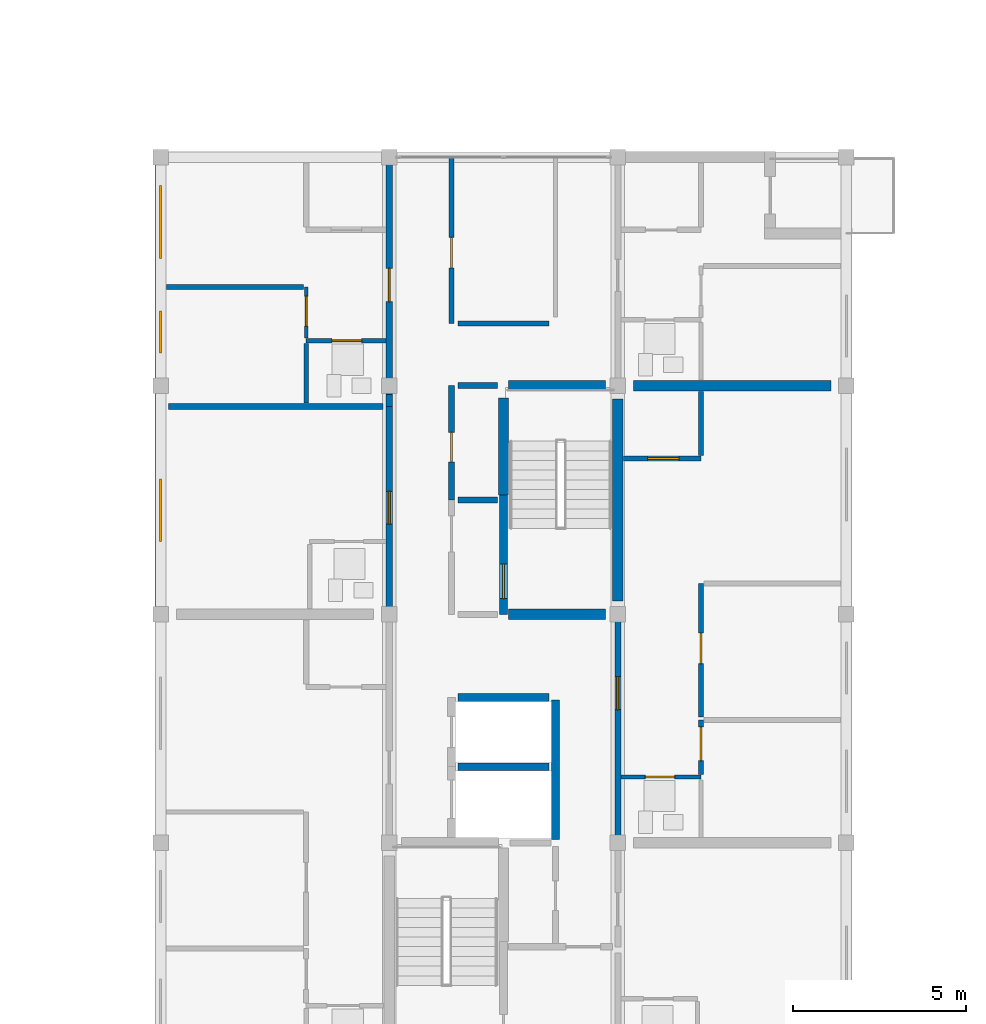
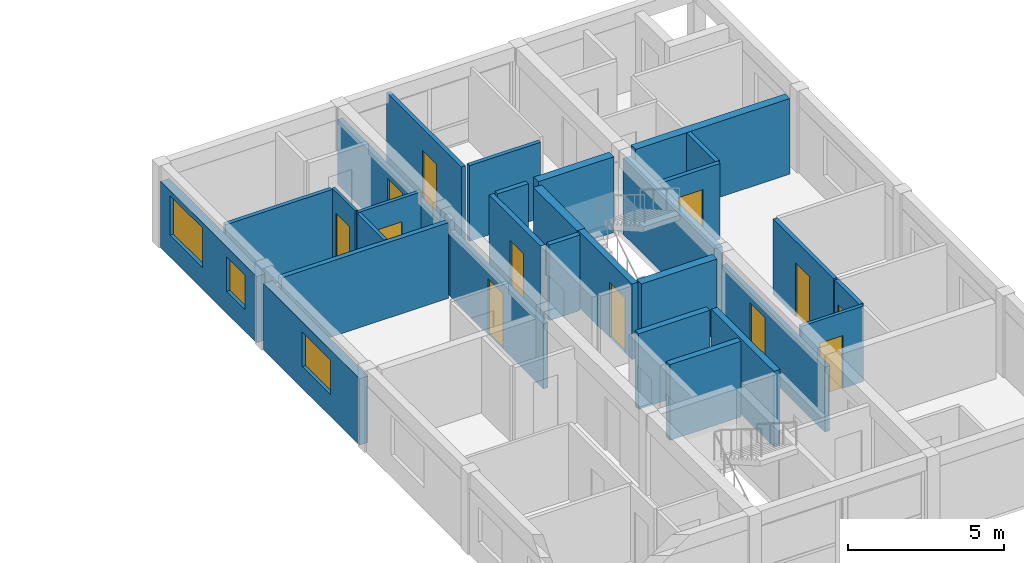
# One storey, part 29 of 45: 30 walls, 12 doors, 3 windows, 15 openings.
"""IFC4 building model written with IfcOpenShell, lengths in metres."""

from ifc_helpers import new_model, si_unit, direction, frame, frame_2d, origin, place, context, subcontext, project, spatial, rectangle, extrude, material, layer, layer_set, type_object, element, fill, save


model = new_model("IFC4")

# Units and contexts
model_context = context("Model", 3, precision=1e-05, world=origin(), true_north=direction((0.0, 1.0)))
body_context = subcontext(model_context, "Body", "Model", "MODEL_VIEW")
ifc_project = project(units=[si_unit("LENGTHUNIT", "METRE"), si_unit("AREAUNIT", "SQUARE_METRE"), si_unit("VOLUMEUNIT", "CUBIC_METRE"), si_unit("PLANEANGLEUNIT", "RADIAN"), si_unit("MASSUNIT", "GRAM", prefix="KILO")], contexts=[model_context])

# Site, building, storey
site_placement = place(None, origin())
site = spatial("IfcSite", under=ifc_project, at=site_placement, CompositionType="ELEMENT")
building_placement = place(site_placement, origin())
building = spatial("IfcBuilding", under=site, at=building_placement, Name="Kernevlak Ridge Housing Community", CompositionType="ELEMENT")
storey_placement = place(building_placement, frame((0.0, 0.0, 21.199951171875)))
storey = spatial("IfcBuildingStorey", under=building, at=storey_placement, Name="L06", CompositionType="ELEMENT", Elevation=21.199951171875)

# Wall, opening, window
ifc_material_1 = material(Name="Concrete block masonry M10", Category="masonry")
ifc_layer_1 = layer(ifc_material_1, 0.320068359375, Name="Concrete block masonry M10")
ifc_layer_set_1 = layer_set([ifc_layer_1], Name="Concrete block masonry M10")
wall_type_1 = type_object("IfcWallType", Name="EW-02", PredefinedType="STANDARD", material=ifc_layer_set_1)
wall_1_placement = place(storey_placement, frame((126.0, 29.02490234375, 0.0), z_axis=(0.0, 0.0, 1.0), x_axis=(0.0, 1.0, 0.0)))
wall_1 = element("IfcWall", 1, at=wall_1_placement, inside=storey, type_object=wall_type_1, Name="Exterior wall EW-02 L06 616", PredefinedType="STANDARD", context=body_context, shape_type="SweptSolid", body=[
    extrude(rectangle(XDim=6.150146484375, YDim=0.320068359375, at=frame_2d((3.0751953125, 0.0))), origin(), (0.0, 0.0, 1.0), 2.60009765625),
])
opening_1_placement = place(wall_1_placement, frame((1.875, 0.0, 0.85009765625)))
opening_1 = element("IfcOpeningElement", 2, at=opening_1_placement, cuts=wall_1, Name="Opening WT-03", PredefinedType="OPENING", context=body_context, shape_type="SweptSolid", body=[
    extrude(rectangle(XDim=1.800048828125, YDim=1.35009765625, at=frame_2d((0.89990234375, 0.675048828125))), frame((0.0, 0.169921875, 0.0), z_axis=(0.0, -1.0, 0.0), x_axis=(1.0, 0.0, 0.0)), (0.0, 0.0, 1.0), 0.340087890625),
])
ifc_material_2 = material(Name="Aluminium EN AW-6060 anodised and laminated glass", Category="aluminium")
window_type_1 = type_object("IfcWindowType", Name="WT-03", PartitioningType="SINGLE_PANEL", PredefinedType="WINDOW", material=ifc_material_2)
window_1_placement = place(opening_1_placement, origin())
window_1 = element("IfcWindow", 3, at=window_1_placement, inside=storey, type_object=window_type_1, Name="Window WT-03 L06 501", OverallHeight=1.35009765625, OverallWidth=1.800048828125, PartitioningType="SINGLE_PANEL", PredefinedType="WINDOW", context=body_context, shape_type="SweptSolid", body=[
    extrude(rectangle(XDim=1.800048828125, YDim=1.35009765625, at=frame_2d((0.89990234375, 0.675048828125))), frame((0.0, 0.030029296875, 0.0), z_axis=(0.0, -1.0, 0.0), x_axis=(1.0, 0.0, 0.0)), (0.0, 0.0, 1.0), 0.06005859375),
])
fill(opening_1, window_1)

# Wall, openings, windows
wall_2_placement = place(storey_placement, frame((126.0, 35.625, 0.0), z_axis=(0.0, 0.0, 1.0), x_axis=(0.0, 1.0, 0.0)))
wall_2 = element("IfcWall", 4, at=wall_2_placement, inside=storey, type_object=wall_type_1, Name="Exterior wall EW-02 L06 617", PredefinedType="STANDARD", context=body_context, shape_type="SweptSolid", body=[
    extrude(rectangle(XDim=6.14990234375, YDim=0.320068359375, at=frame_2d((3.074951171875, 0.0))), origin(), (0.0, 0.0, 1.0), 2.60009765625),
])
opening_2_placement = place(wall_2_placement, frame((0.72509765625, 0.0, 0.85009765625)))
opening_2 = element("IfcOpeningElement", 5, at=opening_2_placement, cuts=wall_2, Name="Opening WT-01", PredefinedType="OPENING", context=body_context, shape_type="SweptSolid", body=[
    extrude(rectangle(XDim=1.199951171875, YDim=1.35009765625, at=frame_2d((0.60009765625, 0.675048828125))), frame((0.0, 0.169921875, 0.0), z_axis=(0.0, -1.0, 0.0), x_axis=(1.0, 0.0, 0.0)), (0.0, 0.0, 1.0), 0.340087890625),
])
opening_3_placement = place(wall_2_placement, frame((3.449951171875, 0.0, 0.85009765625)))
opening_3 = element("IfcOpeningElement", 6, at=opening_3_placement, cuts=wall_2, Name="Opening WT-05", PredefinedType="OPENING", context=body_context, shape_type="SweptSolid", body=[
    extrude(rectangle(XDim=2.10009765625, YDim=1.550048828125, at=frame_2d((1.050048828125, 0.77490234375))), frame((0.0, 0.169921875, 0.0), z_axis=(0.0, -1.0, 0.0), x_axis=(1.0, 0.0, 0.0)), (0.0, 0.0, 1.0), 0.340087890625),
])
window_type_2 = type_object("IfcWindowType", Name="WT-01", PartitioningType="SINGLE_PANEL", PredefinedType="WINDOW", material=ifc_material_2)
window_2_placement = place(opening_2_placement, origin())
window_2 = element("IfcWindow", 7, at=window_2_placement, inside=storey, type_object=window_type_2, Name="Window WT-01 L06 502", OverallHeight=1.35009765625, OverallWidth=1.199951171875, PartitioningType="SINGLE_PANEL", PredefinedType="WINDOW", context=body_context, shape_type="SweptSolid", body=[
    extrude(rectangle(XDim=1.199951171875, YDim=1.35009765625, at=frame_2d((0.60009765625, 0.675048828125))), frame((0.0, 0.030029296875, 0.0), z_axis=(0.0, -1.0, 0.0), x_axis=(1.0, 0.0, 0.0)), (0.0, 0.0, 1.0), 0.06005859375),
])
fill(opening_2, window_2)
window_type_3 = type_object("IfcWindowType", Name="WT-05", PartitioningType="SINGLE_PANEL", PredefinedType="WINDOW", material=ifc_material_2)
window_3_placement = place(opening_3_placement, origin())
window_3 = element("IfcWindow", 8, at=window_3_placement, inside=storey, type_object=window_type_3, Name="Window WT-05 L06 503", OverallHeight=1.550048828125, OverallWidth=2.10009765625, PartitioningType="SINGLE_PANEL", PredefinedType="WINDOW", context=body_context, shape_type="SweptSolid", body=[
    extrude(rectangle(XDim=2.10009765625, YDim=1.550048828125, at=frame_2d((1.050048828125, 0.77490234375))), frame((0.0, 0.030029296875, 0.0), z_axis=(0.0, -1.0, 0.0), x_axis=(1.0, 0.0, 0.0)), (0.0, 0.0, 1.0), 0.06005859375),
])
fill(opening_3, window_3)

# Walls
ifc_material_3 = material(Name="Concrete C35/45", Category="concrete")
ifc_layer_2 = layer(ifc_material_3, 0.22509765625, Name="Concrete C35/45")
ifc_layer_set_2 = layer_set([ifc_layer_2], Name="Concrete C35/45")
wall_type_2 = type_object("IfcWallType", Name="PW-01", PredefinedType="STANDARD", material=ifc_layer_set_2)
wall_3_placement = place(storey_placement, frame((137.39990234375, 22.297607421875, 0.0), z_axis=(0.0, 0.0, 1.0), x_axis=(0.0, 1.0, 0.0)))
element("IfcWall", 9, at=wall_3_placement, inside=storey, type_object=wall_type_2, Name="Interior wall PW-01 WAL-INT-L06-2495", PredefinedType="STANDARD", context=body_context, shape_type="SweptSolid", body=[
    extrude(rectangle(XDim=4.0224609375, YDim=0.22509765625, at=frame_2d((2.01123046875, 0.0))), origin(), (0.0, 0.0, 1.0), 2.9599609375),
])
for number, where, z_axis, x_axis, name in (
    (10, (134.580078125, 24.39990234375, 0.0), (0.0, 0.0, 1.0), (1.0, 0.0, 0.0), "Interior wall PW-01 WAL-INT-L06-2497"),
    (11, (134.580078125, 26.39990234375, 0.0), (0.0, 0.0, 1.0), (1.0, 0.0, 0.0), "Interior wall PW-01 WAL-INT-L06-2498"),
):
    element("IfcWall", number, at=place(storey_placement, frame(where, z_axis=z_axis, x_axis=x_axis)), inside=storey, type_object=wall_type_2, Name=name, PredefinedType="STANDARD", context=body_context, shape_type="SweptSolid", body=[
        extrude(rectangle(XDim=2.639892578125, YDim=0.22509765625, at=frame_2d((1.31982421875, 0.0))), origin(), (0.0, 0.0, 1.0), 2.9599609375),
    ])

# Wall, opening, door
wall_4_placement = place(storey_placement, frame((135.89990234375, 28.800048828125, 0.0), z_axis=(0.0, 0.0, 1.0), x_axis=(0.0, 1.0, 0.0)))
wall_4 = element("IfcWall", 12, at=wall_4_placement, inside=storey, type_object=wall_type_2, Name="Interior wall PW-01 WAL-INT-L06-2499", PredefinedType="STANDARD", context=body_context, shape_type="SweptSolid", body=[
    extrude(rectangle(XDim=3.449951171875, YDim=0.22509765625, at=frame_2d((1.72509765625, 0.0))), origin(), (0.0, 0.0, 1.0), 2.9599609375),
])
opening_4_placement = place(wall_4_placement, frame((0.449951171875, 0.0, 0.0)))
opening_4 = element("IfcOpeningElement", 13, at=opening_4_placement, cuts=wall_4, Name="Opening E266", PredefinedType="OPENING", context=body_context, shape_type="SweptSolid", body=[
    extrude(rectangle(XDim=1.0, YDim=2.159912109375, at=frame_2d((0.5, 1.080078125))), frame((0.0, 0.12255859375, 0.0), z_axis=(0.0, -1.0, 0.0), x_axis=(1.0, 0.0, 0.0)), (0.0, 0.0, 1.0), 0.2451171875),
])
ifc_material_4 = material(Name="Fire-rated sheet steel leaf", Category="steel")
door_type_1 = type_object("IfcDoorType", Name="DT-15", OperationType="NOTDEFINED", PredefinedType="DOOR", material=ifc_material_4)
door_1_placement = place(opening_4_placement, origin())
door_1 = element("IfcDoor", 14, at=door_1_placement, inside=storey, type_object=door_type_1, Name="Block C Stair 2 fire door E266", OperationType="SINGLE_SWING_LEFT", OverallHeight=2.159912109375, OverallWidth=1.0, PredefinedType="DOOR", context=body_context, shape_type="SweptSolid", body=[
    extrude(rectangle(XDim=1.0, YDim=2.159912109375, at=frame_2d((0.5, 1.080078125))), frame((0.0, 0.02490234375, 0.0), z_axis=(0.0, -1.0, 0.0), x_axis=(1.0, 0.0, 0.0)), (0.0, 0.0, 1.0), 0.050048828125),
])
fill(opening_4, door_1)

ifc_layer_3 = layer(ifc_material_1, 0.175048828125, Name="Concrete block masonry M10")
ifc_layer_set_3 = layer_set([ifc_layer_3], Name="Concrete block masonry M10")
wall_type_3 = type_object("IfcWallType", Name="PW-02", PredefinedType="PARTITIONING", material=ifc_layer_set_3)
wall_5_placement = place(storey_placement, frame((134.39990234375, 32.10009765625, 0.0), z_axis=(0.0, 0.0, 1.0), x_axis=(0.0, 1.0, 0.0)))
wall_5 = element("IfcWall", 15, at=wall_5_placement, inside=storey, type_object=wall_type_3, Name="Interior wall PW-02 WAL-INT-L06-2501", PredefinedType="PARTITIONING", context=body_context, shape_type="SweptSolid", body=[
    extrude(rectangle(XDim=3.2998046875, YDim=0.175048828125, at=frame_2d((1.64990234375, 0.0))), origin(), (0.0, 0.0, 1.0), 2.9599609375),
])
opening_5_placement = place(wall_5_placement, frame((1.10009765625, 0.0, 0.0)))
opening_5 = element("IfcOpeningElement", 16, at=opening_5_placement, cuts=wall_5, Name="Opening E268", PredefinedType="OPENING", context=body_context, shape_type="SweptSolid", body=[
    extrude(rectangle(XDim=0.85009765625, YDim=2.0, at=frame_2d((0.425048828125, 1.0))), frame((0.0, 0.097412109375, 0.0), z_axis=(0.0, -1.0, 0.0), x_axis=(1.0, 0.0, 0.0)), (0.0, 0.0, 1.0), 0.195068359375),
])
door_type_2 = type_object("IfcDoorType", Name="DT-07", OperationType="NOTDEFINED", PredefinedType="DOOR", material=ifc_material_4)
door_2_placement = place(opening_5_placement, origin())
door_2 = element("IfcDoor", 17, at=door_2_placement, inside=storey, type_object=door_type_2, Name="Block C Cleaner store door E268", OperationType="SINGLE_SWING_LEFT", OverallHeight=2.0, OverallWidth=0.85009765625, PredefinedType="DOOR", context=body_context, shape_type="SweptSolid", body=[
    extrude(rectangle(XDim=0.85009765625, YDim=2.0, at=frame_2d((0.425048828125, 1.0))), frame((0.0, 0.02490234375, 0.0), z_axis=(0.0, -1.0, 0.0), x_axis=(1.0, 0.0, 0.0)), (0.0, 0.0, 1.0), 0.050048828125),
])
fill(opening_5, door_2)

# Walls
for number, where, z_axis, x_axis, name in (
    (18, (134.580078125, 32.10009765625, 0.0), (0.0, 0.0, 1.0), (1.0, 0.0, 0.0), "Interior wall PW-02 WAL-INT-L06-2503"),
    (19, (134.580078125, 35.39990234375, 0.0), (0.0, 0.0, 1.0), (1.0, 0.0, 0.0), "Interior wall PW-02 WAL-INT-L06-2504"),
):
    element("IfcWall", number, at=place(storey_placement, frame(where, z_axis=z_axis, x_axis=x_axis)), inside=storey, type_object=wall_type_3, Name=name, PredefinedType="PARTITIONING", context=body_context, shape_type="SweptSolid", body=[
        extrude(rectangle(XDim=1.139892578125, YDim=0.175048828125, at=frame_2d((0.56982421875, 0.0))), origin(), (0.0, 0.0, 1.0), 2.9599609375),
    ])

# Wall, opening, door
wall_6_placement = place(storey_placement, frame((132.60009765625, 28.800048828125, 0.0), z_axis=(0.0, 0.0, 1.0), x_axis=(0.0, 1.0, 0.0)))
wall_6 = element("IfcWall", 20, at=wall_6_placement, inside=storey, type_object=wall_type_3, Name="Interior wall PW-02 WAL-INT-L06-2517", PredefinedType="PARTITIONING", context=body_context, shape_type="SweptSolid", body=[
    extrude(rectangle(XDim=6.0, YDim=0.175048828125, at=frame_2d((3.0, 0.0))), origin(), (0.0, 0.0, 1.0), 2.550048828125),
])
opening_6_placement = place(wall_6_placement, frame((2.60009765625, 0.0, 0.0)))
opening_6 = element("IfcOpeningElement", 21, at=opening_6_placement, cuts=wall_6, Name="Opening E275", PredefinedType="OPENING", context=body_context, shape_type="SweptSolid", body=[
    extrude(rectangle(XDim=0.949951171875, YDim=2.159912109375, at=frame_2d((0.47509765625, 1.080078125))), frame((0.0, 0.097412109375, 0.0), z_axis=(0.0, -1.0, 0.0), x_axis=(1.0, 0.0, 0.0)), (0.0, 0.0, 1.0), 0.195068359375),
])
ifc_material_5 = material(Name="Hardwood timber solid-core fire leaf", Category="wood")
door_type_3 = type_object("IfcDoorType", Name="DT-02", OperationType="NOTDEFINED", PredefinedType="DOOR", material=ifc_material_5)
door_3_placement = place(opening_6_placement, origin())
door_3 = element("IfcDoor", 22, at=door_3_placement, inside=storey, type_object=door_type_3, Name="Flat C0612 entrance fire door E275", OperationType="SINGLE_SWING_RIGHT", OverallHeight=2.159912109375, OverallWidth=0.949951171875, PredefinedType="DOOR", context=body_context, shape_type="SweptSolid", body=[
    extrude(rectangle(XDim=0.949951171875, YDim=2.159912109375, at=frame_2d((0.47509765625, 1.080078125))), frame((0.0, 0.02490234375, 0.0), z_axis=(0.0, -1.0, 0.0), x_axis=(1.0, 0.0, 0.0)), (0.0, 0.0, 1.0), 0.050048828125),
])
fill(opening_6, door_3)

# Walls
wall_7_placement = place(storey_placement, frame((132.419921875, 34.800048828125, 0.0), z_axis=(0.0, 0.0, 1.0), x_axis=(-1.0, 0.0, 0.0)))
element("IfcWall", 23, at=wall_7_placement, inside=storey, type_object=wall_type_3, Name="Interior wall PW-02 WAL-INT-L06-2520", PredefinedType="PARTITIONING", context=body_context, shape_type="SweptSolid", body=[
    extrude(rectangle(XDim=6.18994140625, YDim=0.175048828125, at=frame_2d((3.094970703125, 0.0))), origin(), (0.0, 0.0, 1.0), 2.9599609375),
])
wall_8_placement = place(storey_placement, frame((132.60009765625, 34.800048828125, 0.0), z_axis=(0.0, 0.0, 1.0), x_axis=(0.0, 1.0, 0.0)))
element("IfcWall", 24, at=wall_8_placement, inside=storey, type_object=wall_type_3, Name="Interior wall PW-02 WAL-INT-L06-2521", PredefinedType="PARTITIONING", context=body_context, shape_type="SweptSolid", body=[
    extrude(rectangle(XDim=0.344970703125, YDim=0.175048828125, at=frame_2d((0.17236328125, 0.0))), origin(), (0.0, 0.0, 1.0), 2.9599609375),
])

# Wall, opening, door
wall_9_placement = place(storey_placement, frame((132.60009765625, 35.14501953125, 0.0), z_axis=(0.0, 0.0, 1.0), x_axis=(0.0, 1.0, 0.0)))
wall_9 = element("IfcWall", 25, at=wall_9_placement, inside=storey, type_object=wall_type_3, Name="Interior wall PW-02 WAL-INT-L06-2521 part 2", PredefinedType="PARTITIONING", context=body_context, shape_type="SweptSolid", body=[
    extrude(rectangle(XDim=6.85498046875, YDim=0.175048828125, at=frame_2d((3.427490234375, 0.0))), origin(), (0.0, 0.0, 1.0), 2.550048828125),
])
opening_7_placement = place(wall_9_placement, frame((2.679931640625, 0.0, 0.0)))
opening_7 = element("IfcOpeningElement", 26, at=opening_7_placement, cuts=wall_9, Name="Opening E277", PredefinedType="OPENING", context=body_context, shape_type="SweptSolid", body=[
    extrude(rectangle(XDim=0.9599609375, YDim=2.179931640625, at=frame_2d((0.47998046875, 1.08984375))), frame((0.0, 0.097412109375, 0.0), z_axis=(0.0, -1.0, 0.0), x_axis=(1.0, 0.0, 0.0)), (0.0, 0.0, 1.0), 0.195068359375),
])
door_type_4 = type_object("IfcDoorType", Name="DT-29", OperationType="NOTDEFINED", PredefinedType="DOOR", material=ifc_material_5)
door_4_placement = place(opening_7_placement, origin())
door_4 = element("IfcDoor", 27, at=door_4_placement, inside=storey, type_object=door_type_4, Name="Flat C0613 entrance fire door E277", OperationType="SINGLE_SWING_RIGHT", OverallHeight=2.179931640625, OverallWidth=0.9599609375, PredefinedType="DOOR", context=body_context, shape_type="SweptSolid", body=[
    extrude(rectangle(XDim=0.9599609375, YDim=2.179931640625, at=frame_2d((0.47998046875, 1.08984375))), frame((0.0, 0.02490234375, 0.0), z_axis=(0.0, -1.0, 0.0), x_axis=(1.0, 0.0, 0.0)), (0.0, 0.0, 1.0), 0.050048828125),
])
fill(opening_7, door_4)

wall_10_placement = place(storey_placement, frame((139.199951171875, 22.199951171875, 0.0), z_axis=(0.0, 0.0, 1.0), x_axis=(0.0, 1.0, 0.0)))
wall_10 = element("IfcWall", 28, at=wall_10_placement, inside=storey, type_object=wall_type_3, Name="Interior wall PW-02 WAL-INT-L06-2532", PredefinedType="PARTITIONING", context=body_context, shape_type="SweptSolid", body=[
    extrude(rectangle(XDim=6.60009765625, YDim=0.175048828125, at=frame_2d((3.300048828125, 0.0))), origin(), (0.0, 0.0, 1.0), 2.550048828125),
])
opening_8_placement = place(wall_10_placement, frame((3.85009765625, 0.0, 0.0)))
opening_8 = element("IfcOpeningElement", 29, at=opening_8_placement, cuts=wall_10, Name="Opening E283", PredefinedType="OPENING", context=body_context, shape_type="SweptSolid", body=[
    extrude(rectangle(XDim=0.949951171875, YDim=2.159912109375, at=frame_2d((0.47509765625, 1.080078125))), frame((0.0, 0.097412109375, 0.0), z_axis=(0.0, -1.0, 0.0), x_axis=(1.0, 0.0, 0.0)), (0.0, 0.0, 1.0), 0.195068359375),
])
door_5_placement = place(opening_8_placement, origin())
door_5 = element("IfcDoor", 30, at=door_5_placement, inside=storey, type_object=door_type_3, Name="Flat C0622 entrance fire door E283", OperationType="SINGLE_SWING_RIGHT", OverallHeight=2.159912109375, OverallWidth=0.949951171875, PredefinedType="DOOR", context=body_context, shape_type="SweptSolid", body=[
    extrude(rectangle(XDim=0.949951171875, YDim=2.159912109375, at=frame_2d((0.47509765625, 1.080078125))), frame((0.0, 0.02490234375, 0.0), z_axis=(0.0, -1.0, 0.0), x_axis=(1.0, 0.0, 0.0)), (0.0, 0.0, 1.0), 0.050048828125),
])
fill(opening_8, door_5)

ifc_layer_4 = layer(ifc_material_1, 0.14501953125, Name="Concrete block masonry M10")
ifc_layer_set_4 = layer_set([ifc_layer_4], Name="Concrete block masonry M10")
wall_type_4 = type_object("IfcWallType", Name="PW-03", PredefinedType="PARTITIONING", material=ifc_layer_set_4)
wall_11_placement = place(storey_placement, frame((134.39990234375, 37.199951171875, 0.0), z_axis=(0.0, 0.0, 1.0), x_axis=(0.0, 1.0, 0.0)))
wall_11 = element("IfcWall", 31, at=wall_11_placement, inside=storey, type_object=wall_type_4, Name="Interior wall PW-03 WAL-INT-L06-2505", PredefinedType="PARTITIONING", context=body_context, shape_type="SweptSolid", body=[
    extrude(rectangle(XDim=4.800048828125, YDim=0.14501953125, at=frame_2d((2.39990234375, 0.0))), origin(), (0.0, 0.0, 1.0), 2.9599609375),
])
opening_9_placement = place(wall_11_placement, frame((1.60009765625, 0.0, 0.0)))
opening_9 = element("IfcOpeningElement", 32, at=opening_9_placement, cuts=wall_11, Name="Opening E269", PredefinedType="OPENING", context=body_context, shape_type="SweptSolid", body=[
    extrude(rectangle(XDim=0.8798828125, YDim=2.10009765625, at=frame_2d((0.43994140625, 1.050048828125))), frame((0.0, 0.08251953125, 0.0), z_axis=(0.0, -1.0, 0.0), x_axis=(1.0, 0.0, 0.0)), (0.0, 0.0, 1.0), 0.1650390625),
])
ifc_material_6 = material(Name="Hardwood timber leaf", Category="wood")
door_type_5 = type_object("IfcDoorType", Name="DT-25", OperationType="NOTDEFINED", PredefinedType="DOOR", material=ifc_material_6)
door_6_placement = place(opening_9_placement, origin())
door_6 = element("IfcDoor", 33, at=door_6_placement, inside=storey, type_object=door_type_5, Name="Block C Laundry room door E269", OperationType="SINGLE_SWING_RIGHT", OverallHeight=2.10009765625, OverallWidth=0.8798828125, PredefinedType="DOOR", context=body_context, shape_type="SweptSolid", body=[
    extrude(rectangle(XDim=0.8798828125, YDim=2.10009765625, at=frame_2d((0.43994140625, 1.050048828125))), frame((0.0, 0.02490234375, 0.0), z_axis=(0.0, -1.0, 0.0), x_axis=(1.0, 0.0, 0.0)), (0.0, 0.0, 1.0), 0.050048828125),
])
fill(opening_9, door_6)

# Walls
wall_12_placement = place(storey_placement, frame((134.580078125, 37.199951171875, 0.0), z_axis=(0.0, 0.0, 1.0), x_axis=(1.0, 0.0, 0.0)))
element("IfcWall", 34, at=wall_12_placement, inside=storey, type_object=wall_type_4, Name="Interior wall PW-03 WAL-INT-L06-2507", PredefinedType="PARTITIONING", context=body_context, shape_type="SweptSolid", body=[
    extrude(rectangle(XDim=2.639892578125, YDim=0.14501953125, at=frame_2d((1.31982421875, 0.0))), origin(), (0.0, 0.0, 1.0), 2.9599609375),
])
wall_13_placement = place(storey_placement, frame((130.1201171875, 38.25, 0.0), z_axis=(0.0, 0.0, 1.0), x_axis=(-1.0, 0.0, 0.0)))
element("IfcWall", 35, at=wall_13_placement, inside=storey, type_object=wall_type_4, Name="Interior wall PW-03 WAL-INT-L06-2527", PredefinedType="PARTITIONING", context=body_context, shape_type="SweptSolid", body=[
    extrude(rectangle(XDim=3.9501953125, YDim=0.14501953125, at=frame_2d((1.97509765625, 0.0))), origin(), (0.0, 0.0, 1.0), 2.9599609375),
])

# Wall, opening, door
wall_14_placement = place(storey_placement, frame((141.60009765625, 24.172607421875, 0.0), z_axis=(0.0, 0.0, 1.0), x_axis=(0.0, 1.0, 0.0)))
wall_14 = element("IfcWall", 36, at=wall_14_placement, inside=storey, type_object=wall_type_4, Name="Interior wall PW-03 WAL-INT-L06-2537", PredefinedType="PARTITIONING", context=body_context, shape_type="SweptSolid", body=[
    extrude(rectangle(XDim=1.577392578125, YDim=0.14501953125, at=frame_2d((0.78857421875, 0.0))), origin(), (0.0, 0.0, 1.0), 2.9599609375),
])
opening_10_placement = place(wall_14_placement, frame((0.39990234375, 0.0, 0.0)))
opening_10 = element("IfcOpeningElement", 37, at=opening_10_placement, cuts=wall_14, Name="Opening E286", PredefinedType="OPENING", context=body_context, shape_type="SweptSolid", body=[
    extrude(rectangle(XDim=0.97998046875, YDim=2.1201171875, at=frame_2d((0.489990234375, 1.06005859375))), frame((0.0, 0.08251953125, 0.0), z_axis=(0.0, -1.0, 0.0), x_axis=(1.0, 0.0, 0.0)), (0.0, 0.0, 1.0), 0.1650390625),
])
door_type_6 = type_object("IfcDoorType", Name="DT-24", OperationType="NOTDEFINED", PredefinedType="DOOR", material=ifc_material_6)
door_7_placement = place(opening_10_placement, origin())
door_7 = element("IfcDoor", 38, at=door_7_placement, inside=storey, type_object=door_type_6, Name="Flat C0622 bedroom door E286", OperationType="SINGLE_SWING_LEFT", OverallHeight=2.1201171875, OverallWidth=0.97998046875, PredefinedType="DOOR", context=body_context, shape_type="SweptSolid", body=[
    extrude(rectangle(XDim=0.97998046875, YDim=2.1201171875, at=frame_2d((0.489990234375, 1.06005859375))), frame((0.0, 0.02490234375, 0.0), z_axis=(0.0, -1.0, 0.0), x_axis=(1.0, 0.0, 0.0)), (0.0, 0.0, 1.0), 0.050048828125),
])
fill(opening_10, door_7)

wall_15_placement = place(storey_placement, frame((141.60009765625, 25.83251953125, 0.0), z_axis=(0.0, 0.0, 1.0), x_axis=(0.0, 1.0, 0.0)))
wall_15 = element("IfcWall", 39, at=wall_15_placement, inside=storey, type_object=wall_type_4, Name="Interior wall PW-03 WAL-INT-L06-2539", PredefinedType="PARTITIONING", context=body_context, shape_type="SweptSolid", body=[
    extrude(rectangle(XDim=3.859375, YDim=0.14501953125, at=frame_2d((1.9296875, 0.0))), origin(), (0.0, 0.0, 1.0), 2.9599609375),
])
opening_11_placement = place(wall_15_placement, frame((1.5458984375, 0.0, 0.0)))
opening_11 = element("IfcOpeningElement", 40, at=opening_11_placement, cuts=wall_15, Name="Opening E287", PredefinedType="OPENING", context=body_context, shape_type="SweptSolid", body=[
    extrude(rectangle(XDim=0.8798828125, YDim=2.10009765625, at=frame_2d((0.43994140625, 1.050048828125))), frame((0.0, 0.08251953125, 0.0), z_axis=(0.0, -1.0, 0.0), x_axis=(1.0, 0.0, 0.0)), (0.0, 0.0, 1.0), 0.1650390625),
])
door_8_placement = place(opening_11_placement, origin())
door_8 = element("IfcDoor", 41, at=door_8_placement, inside=storey, type_object=door_type_5, Name="Flat C0622 bedroom door E287", OperationType="SINGLE_SWING_RIGHT", OverallHeight=2.10009765625, OverallWidth=0.8798828125, PredefinedType="DOOR", context=body_context, shape_type="SweptSolid", body=[
    extrude(rectangle(XDim=0.8798828125, YDim=2.10009765625, at=frame_2d((0.43994140625, 1.050048828125))), frame((0.0, 0.02490234375, 0.0), z_axis=(0.0, -1.0, 0.0), x_axis=(1.0, 0.0, 0.0)), (0.0, 0.0, 1.0), 0.050048828125),
])
fill(opening_11, door_8)

ifc_material_7 = material(Name="Gypsum plasterboard EN 520", Category="gypsum")
ifc_layer_5 = layer(ifc_material_7, 0.125, Name="Gypsum plasterboard EN 520")
ifc_layer_set_5 = layer_set([ifc_layer_5], Name="Gypsum plasterboard EN 520")
wall_type_5 = type_object("IfcWallType", Name="PW-04", PredefinedType="PARTITIONING", material=ifc_layer_set_5)
wall_16_placement = place(storey_placement, frame((132.50244140625, 36.699951171875, 0.0), z_axis=(0.0, 0.0, 1.0), x_axis=(-1.0, 0.0, 0.0)))
wall_16 = element("IfcWall", 42, at=wall_16_placement, inside=storey, type_object=wall_type_5, Name="Interior wall PW-04 WAL-INT-L06-2522", PredefinedType="PARTITIONING", context=body_context, shape_type="SweptSolid", body=[
    extrude(rectangle(XDim=2.302490234375, YDim=0.125, at=frame_2d((1.1513671875, 0.0))), origin(), (0.0, 0.0, 1.0), 2.9599609375),
])
opening_12_placement = place(wall_16_placement, frame((0.699951171875, 0.0, 0.0)))
opening_12 = element("IfcOpeningElement", 43, at=opening_12_placement, cuts=wall_16, Name="Opening E278", PredefinedType="OPENING", context=body_context, shape_type="SweptSolid", body=[
    extrude(rectangle(XDim=0.85009765625, YDim=2.0400390625, at=frame_2d((0.425048828125, 1.02001953125))), frame((0.0, 0.072509765625, 0.0), z_axis=(0.0, -1.0, 0.0), x_axis=(1.0, 0.0, 0.0)), (0.0, 0.0, 1.0), 0.14501953125),
])
ifc_material_8 = material(Name="Hardwood timber moisture-resistant leaf", Category="wood")
door_type_7 = type_object("IfcDoorType", Name="DT-04", OperationType="NOTDEFINED", PredefinedType="DOOR", material=ifc_material_8)
door_9_placement = place(opening_12_placement, origin())
door_9 = element("IfcDoor", 44, at=door_9_placement, inside=storey, type_object=door_type_7, Name="Flat C0613 bathroom door E278", OperationType="SINGLE_SWING_LEFT", OverallHeight=2.0400390625, OverallWidth=0.85009765625, PredefinedType="DOOR", context=body_context, shape_type="SweptSolid", body=[
    extrude(rectangle(XDim=0.85009765625, YDim=2.0400390625, at=frame_2d((0.425048828125, 1.02001953125))), frame((0.0, 0.02490234375, 0.0), z_axis=(0.0, -1.0, 0.0), x_axis=(1.0, 0.0, 0.0)), (0.0, 0.0, 1.0), 0.050048828125),
])
fill(opening_12, door_9)

# Wall
wall_17_placement = place(storey_placement, frame((130.199951171875, 34.8974609375, 0.0), z_axis=(0.0, 0.0, 1.0), x_axis=(0.0, 1.0, 0.0)))
element("IfcWall", 45, at=wall_17_placement, inside=storey, type_object=wall_type_5, Name="Interior wall PW-04 WAL-INT-L06-2523", PredefinedType="PARTITIONING", context=body_context, shape_type="SweptSolid", body=[
    extrude(rectangle(XDim=1.72265625, YDim=0.125, at=frame_2d((0.861328125, 0.0))), origin(), (0.0, 0.0, 1.0), 2.9599609375),
])

# Wall, opening, door
wall_18_placement = place(storey_placement, frame((139.297607421875, 24.10009765625, 0.0), z_axis=(0.0, 0.0, 1.0), x_axis=(1.0, 0.0, 0.0)))
wall_18 = element("IfcWall", 46, at=wall_18_placement, inside=storey, type_object=wall_type_5, Name="Interior wall PW-04 WAL-INT-L06-2533", PredefinedType="PARTITIONING", context=body_context, shape_type="SweptSolid", body=[
    extrude(rectangle(XDim=2.302490234375, YDim=0.125, at=frame_2d((1.1513671875, 0.0))), origin(), (0.0, 0.0, 1.0), 2.9599609375),
])
opening_13_placement = place(wall_18_placement, frame((0.699951171875, 0.0, 0.0)))
opening_13 = element("IfcOpeningElement", 47, at=opening_13_placement, cuts=wall_18, Name="Opening E284", PredefinedType="OPENING", context=body_context, shape_type="SweptSolid", body=[
    extrude(rectangle(XDim=0.840087890625, YDim=2.06005859375, at=frame_2d((0.419921875, 1.030029296875))), frame((0.0, 0.072509765625, 0.0), z_axis=(0.0, -1.0, 0.0), x_axis=(1.0, 0.0, 0.0)), (0.0, 0.0, 1.0), 0.14501953125),
])
door_type_8 = type_object("IfcDoorType", Name="DT-27", OperationType="NOTDEFINED", PredefinedType="DOOR", material=ifc_material_8)
door_10_placement = place(opening_13_placement, origin())
door_10 = element("IfcDoor", 48, at=door_10_placement, inside=storey, type_object=door_type_8, Name="Flat C0622 bathroom door E284", OperationType="SINGLE_SWING_LEFT", OverallHeight=2.06005859375, OverallWidth=0.840087890625, PredefinedType="DOOR", context=body_context, shape_type="SweptSolid", body=[
    extrude(rectangle(XDim=0.840087890625, YDim=2.06005859375, at=frame_2d((0.419921875, 1.030029296875))), frame((0.0, 0.02490234375, 0.0), z_axis=(0.0, -1.0, 0.0), x_axis=(1.0, 0.0, 0.0)), (0.0, 0.0, 1.0), 0.050048828125),
])
fill(opening_13, door_10)

ifc_layer_6 = layer(ifc_material_7, 0.155029296875, Name="Gypsum plasterboard EN 520")
ifc_layer_set_6 = layer_set([ifc_layer_6], Name="Gypsum plasterboard EN 520")
wall_type_6 = type_object("IfcWallType", Name="PW-05", PredefinedType="PARTITIONING", material=ifc_layer_set_6)
wall_19_placement = place(storey_placement, frame((139.360107421875, 33.300048828125, 0.0), z_axis=(0.0, 0.0, 1.0), x_axis=(1.0, 0.0, 0.0)))
wall_19 = element("IfcWall", 49, at=wall_19_placement, inside=storey, type_object=wall_type_6, Name="Interior wall PW-05 WAL-INT-L06-2535", PredefinedType="PARTITIONING", context=body_context, shape_type="SweptSolid", body=[
    extrude(rectangle(XDim=2.239990234375, YDim=0.155029296875, at=frame_2d((1.1201171875, 0.0))), origin(), (0.0, 0.0, 1.0), 2.9599609375),
])
opening_14_placement = place(wall_19_placement, frame((0.699951171875, 0.0, 0.0)))
opening_14 = element("IfcOpeningElement", 50, at=opening_14_placement, cuts=wall_19, Name="Opening E285", PredefinedType="OPENING", context=body_context, shape_type="SweptSolid", body=[
    extrude(rectangle(XDim=0.89990234375, YDim=2.159912109375, at=frame_2d((0.449951171875, 1.080078125))), frame((0.0, 0.08740234375, 0.0), z_axis=(0.0, -1.0, 0.0), x_axis=(1.0, 0.0, 0.0)), (0.0, 0.0, 1.0), 0.175048828125),
])
door_type_9 = type_object("IfcDoorType", Name="DT-22", OperationType="NOTDEFINED", PredefinedType="DOOR", material=ifc_material_6)
door_11_placement = place(opening_14_placement, origin())
door_11 = element("IfcDoor", 51, at=door_11_placement, inside=storey, type_object=door_type_9, Name="Flat C0622 kitchen door E285", OperationType="SINGLE_SWING_RIGHT", OverallHeight=2.159912109375, OverallWidth=0.89990234375, PredefinedType="DOOR", context=body_context, shape_type="SweptSolid", body=[
    extrude(rectangle(XDim=0.89990234375, YDim=2.159912109375, at=frame_2d((0.449951171875, 1.080078125))), frame((0.0, 0.02490234375, 0.0), z_axis=(0.0, -1.0, 0.0), x_axis=(1.0, 0.0, 0.0)), (0.0, 0.0, 1.0), 0.050048828125),
])
fill(opening_14, door_11)

# Wall
wall_20_placement = place(storey_placement, frame((141.60009765625, 33.387451171875, 0.0), z_axis=(0.0, 0.0, 1.0), x_axis=(0.0, 1.0, 0.0)))
element("IfcWall", 52, at=wall_20_placement, inside=storey, type_object=wall_type_6, Name="Interior wall PW-05 WAL-INT-L06-2536", PredefinedType="PARTITIONING", context=body_context, shape_type="SweptSolid", body=[
    extrude(rectangle(XDim=1.8525390625, YDim=0.155029296875, at=frame_2d((0.92626953125, 0.0))), origin(), (0.0, 0.0, 1.0), 2.9599609375),
])

# Wall, opening, door
ifc_layer_7 = layer(ifc_material_7, 0.10498046875, Name="Gypsum plasterboard EN 520")
ifc_layer_set_7 = layer_set([ifc_layer_7], Name="Gypsum plasterboard EN 520")
wall_type_7 = type_object("IfcWallType", Name="PW-06", PredefinedType="PARTITIONING", material=ifc_layer_set_7)
wall_21_placement = place(storey_placement, frame((130.199951171875, 36.7724609375, 0.0), z_axis=(0.0, 0.0, 1.0), x_axis=(0.0, 1.0, 0.0)))
wall_21 = element("IfcWall", 53, at=wall_21_placement, inside=storey, type_object=wall_type_7, Name="Interior wall PW-06 WAL-INT-L06-2526", PredefinedType="PARTITIONING", context=body_context, shape_type="SweptSolid", body=[
    extrude(rectangle(XDim=1.4775390625, YDim=0.10498046875, at=frame_2d((0.73876953125, 0.0))), origin(), (0.0, 0.0, 1.0), 2.9599609375),
])
opening_15_placement = place(wall_21_placement, frame((0.35009765625, 0.0, 0.0)))
opening_15 = element("IfcOpeningElement", 54, at=opening_15_placement, cuts=wall_21, Name="Opening E280", PredefinedType="OPENING", context=body_context, shape_type="SweptSolid", body=[
    extrude(rectangle(XDim=0.860107421875, YDim=2.1201171875, at=frame_2d((0.43017578125, 1.06005859375))), frame((0.0, 0.0625, 0.0), z_axis=(0.0, -1.0, 0.0), x_axis=(1.0, 0.0, 0.0)), (0.0, 0.0, 1.0), 0.125),
])
door_type_10 = type_object("IfcDoorType", Name="DT-28", OperationType="NOTDEFINED", PredefinedType="DOOR", material=ifc_material_6)
door_12_placement = place(opening_15_placement, origin())
door_12 = element("IfcDoor", 55, at=door_12_placement, inside=storey, type_object=door_type_10, Name="Flat C0613 bedroom door E280", OperationType="SINGLE_SWING_LEFT", OverallHeight=2.1201171875, OverallWidth=0.860107421875, PredefinedType="DOOR", context=body_context, shape_type="SweptSolid", body=[
    extrude(rectangle(XDim=0.860107421875, YDim=2.1201171875, at=frame_2d((0.43017578125, 1.06005859375))), frame((0.0, 0.02490234375, 0.0), z_axis=(0.0, -1.0, 0.0), x_axis=(1.0, 0.0, 0.0)), (0.0, 0.0, 1.0), 0.050048828125),
])
fill(opening_15, door_12)

# Walls
ifc_material_9 = material(Name="Concrete C40/50", Category="concrete")
ifc_layer_8 = layer(ifc_material_9, 0.300048828125, Name="Concrete C40/50")
ifc_layer_set_8 = layer_set([ifc_layer_8], Name="Concrete C40/50")
wall_type_8 = type_object("IfcWallType", Name="SW-02", PredefinedType="SHEAR", material=ifc_layer_set_8)
wall_22_placement = place(storey_placement, frame((139.199951171875, 29.179931640625, 0.0), z_axis=(0.0, 0.0, 1.0), x_axis=(0.0, 1.0, 0.0)))
element("IfcWall", 56, at=wall_22_placement, inside=storey, type_object=wall_type_8, Name="Shear wall SW-02 Block C L06 434", PredefinedType="SHEAR", context=body_context, shape_type="SweptSolid", body=[
    extrude(rectangle(XDim=5.840087890625, YDim=0.300048828125, at=frame_2d((2.919921875, 0.0))), origin(), (0.0, 0.0, 1.0), 2.9599609375),
])
for number, where, z_axis, x_axis, name in (
    (57, (135.89990234375, 32.25, 0.0), (0.0, 0.0, 1.0), (0.0, 1.0, 0.0), "Shear wall SW-02 Block C L06 435"),
    (58, (136.050048828125, 28.800048828125, 0.0), (0.0, 0.0, 1.0), (1.0, 0.0, 0.0), "Shear wall SW-02 Block C L06 436"),
    (59, (136.050048828125, 35.39990234375, 0.0), (0.0, 0.0, 1.0), (1.0, 0.0, 0.0), "Shear wall SW-02 Block C L06 437"),
):
    element("IfcWall", number, at=place(storey_placement, frame(where, z_axis=z_axis, x_axis=x_axis)), inside=storey, type_object=wall_type_8, Name=name, PredefinedType="SHEAR", context=body_context, shape_type="SweptSolid", body=[
        extrude(rectangle(XDim=2.800048828125, YDim=0.300048828125, at=frame_2d((1.39990234375, 0.0))), origin(), (0.0, 0.0, 1.0), 2.9599609375),
    ])
wall_23_placement = place(storey_placement, frame((139.64990234375, 35.39990234375, 0.0), z_axis=(0.0, 0.0, 1.0), x_axis=(1.0, 0.0, 0.0)))
element("IfcWall", 60, at=wall_23_placement, inside=storey, type_object=wall_type_8, Name="Shear wall SW-02 Block C L06 440", PredefinedType="SHEAR", context=body_context, shape_type="SweptSolid", body=[
    extrude(rectangle(XDim=5.7001953125, YDim=0.300048828125, at=frame_2d((2.85009765625, 0.0))), origin(), (0.0, 0.0, 1.0), 2.9599609375),
])

save(model, "model.ifc")
